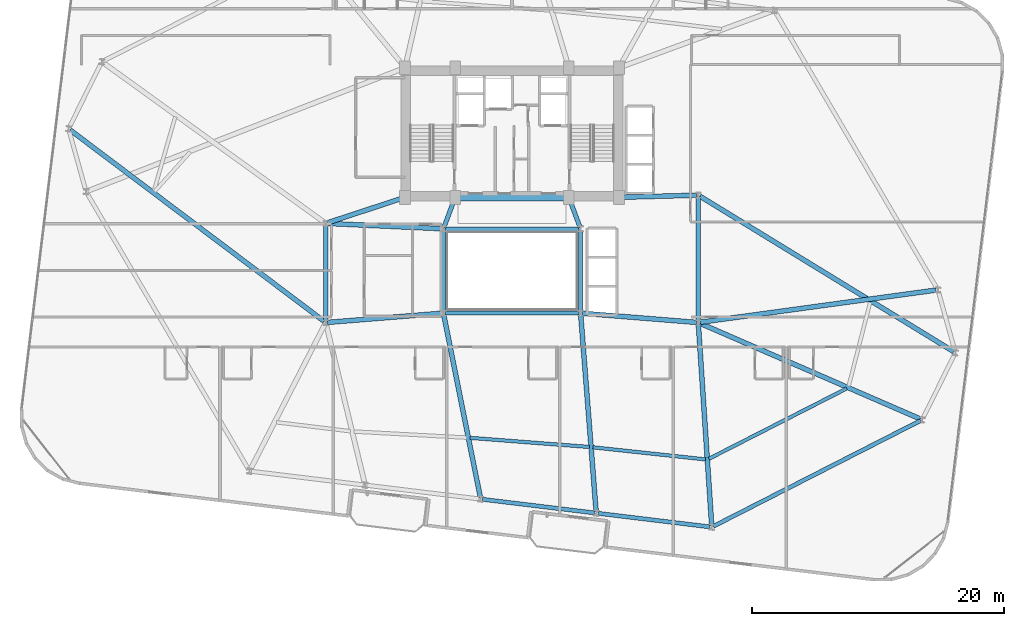
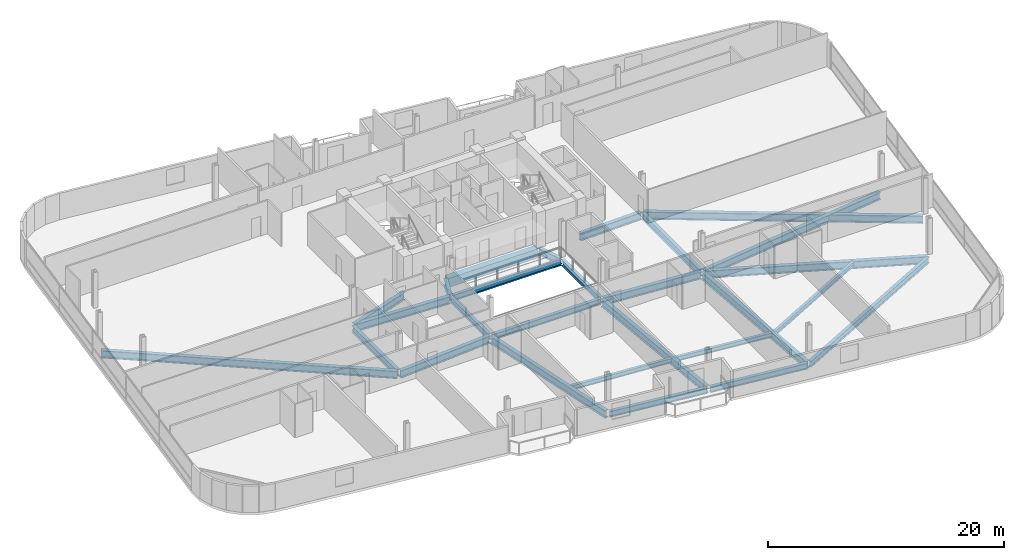
# One storey, part 7 of 26: 27 beams.
"""IFC4 building model written with IfcOpenShell, lengths in metres."""

from ifc_helpers import new_model, si_unit, direction, frame, origin, origin_2d, place, context, subcontext, project, spatial, rectangle, i_section, extrude, material, material_profile, profile_set, type_object, element, save


model = new_model("IFC4")

# Units and contexts
model_context = context("Model", 3, precision=1e-05, world=origin(), true_north=direction((0.0, 1.0)))
body_context = subcontext(model_context, "Body", "Model", "MODEL_VIEW")
ifc_project = project(units=[si_unit("LENGTHUNIT", "METRE"), si_unit("AREAUNIT", "SQUARE_METRE"), si_unit("VOLUMEUNIT", "CUBIC_METRE"), si_unit("PLANEANGLEUNIT", "RADIAN"), si_unit("MASSUNIT", "GRAM", prefix="KILO")], contexts=[model_context])

# Site, building, storey
site_placement = place(None, origin())
site = spatial("IfcSite", under=ifc_project, at=site_placement, CompositionType="ELEMENT")
building_placement = place(site_placement, origin())
building = spatial("IfcBuilding", under=site, at=building_placement, Name="Varnelok Gate Tower", CompositionType="ELEMENT")
storey_placement = place(building_placement, frame((0.0, 0.0, 151.300048828125)))
storey = spatial("IfcBuildingStorey", under=building, at=storey_placement, Name="L38", CompositionType="ELEMENT", Elevation=151.300048828125)

# Beams
ifc_material_1 = material(Name="Structural Steel ASTM A992 Grade 50", Category="steel")
ifc_material_profile_1 = material_profile(ifc_material_1, i_section(OverallWidth=0.280029296875, OverallDepth=0.462890625, WebThickness=0.0107421875, FlangeThickness=0.017333984375, FilletRadius=0.014892578125, at=origin_2d()), Name="W18X76")
ifc_profile_set_1 = profile_set([ifc_material_profile_1], Name="Structural Steel ASTM A992 Grade 50")
beam_type_1 = type_object("IfcBeamType", Name="BM-JST-W18X76", PredefinedType="JOIST", material=ifc_profile_set_1)
beam_1_placement = place(storey_placement, frame((35.873779296875, 9.636962890625, -0.4814453125), z_axis=(0.997085551333, -0.076291567836, 0.0), x_axis=(0.076291567836, 0.997085551333, 0.0)))
element("IfcBeam", 1, at=beam_1_placement, inside=storey, type_object=beam_type_1, Name="L38 Sector Floor Joist 3", PredefinedType="JOIST", context=body_context, shape_type="SweptSolid", body=[
    extrude(i_section(OverallWidth=0.280029296875, OverallDepth=0.462890625, WebThickness=0.0107421875, FlangeThickness=0.017333984375, FilletRadius=0.014892578125, at=origin_2d()), origin(), (0.0, 0.0, 1.0), 9.497802734375),
])
beam_2_placement = place(storey_placement, frame((45.622802734375, 8.88671875, -0.4814453125), z_axis=(0.994268698823, -0.106910030126, 0.0), x_axis=(0.106910030126, 0.994268698823, 0.0)))
element("IfcBeam", 2, at=beam_2_placement, inside=storey, type_object=beam_type_1, Name="L38 Sector Floor Joist 4", PredefinedType="JOIST", context=body_context, shape_type="SweptSolid", body=[
    extrude(i_section(OverallWidth=0.280029296875, OverallDepth=0.462890625, WebThickness=0.0107421875, FlangeThickness=0.017333984375, FilletRadius=0.014892578125, at=origin_2d()), origin(), (0.0, 0.0, 1.0), 9.01123046875),
])
beam_3_placement = place(storey_placement, frame((54.84619140625, 7.971923828125, -0.4814453125), z_axis=(0.890719043402, 0.45455427148, 0.0), x_axis=(-0.45455427148, 0.890719043402, 0.0)))
element("IfcBeam", 3, at=beam_3_placement, inside=storey, type_object=beam_type_1, Name="L38 Sector Floor Joist 5", PredefinedType="JOIST", context=body_context, shape_type="SweptSolid", body=[
    extrude(i_section(OverallWidth=0.280029296875, OverallDepth=0.462890625, WebThickness=0.0107421875, FlangeThickness=0.017333984375, FilletRadius=0.014892578125, at=origin_2d()), origin(), (0.0, 0.0, 1.0), 12.293701171875),
])
ifc_material_2 = material(Name="Concrete C60/75", Category="concrete")
ifc_material_profile_2 = material_profile(ifc_material_2, rectangle(XDim=0.60009765625, YDim=0.949951171875, at=origin_2d()), Name="RC950X600")
ifc_profile_set_2 = profile_set([ifc_material_profile_2], Name="Concrete C60/75")
beam_type_2 = type_object("IfcBeamType", Name="BM-LNT-RC950", PredefinedType="LINTEL", material=ifc_profile_set_2)
beam_4_placement = place(storey_placement, frame((34.800048828125, 28.75, -0.72509765625), z_axis=(1.0, 0.0, 0.0), x_axis=(0.0, 1.0, 0.0)))
element("IfcBeam", 4, at=beam_4_placement, inside=storey, type_object=beam_type_2, Name="L38 Core-Atrium Spine Beam 7", PredefinedType="LINTEL", context=body_context, shape_type="SweptSolid", body=[
    extrude(rectangle(XDim=0.60009765625, YDim=0.949951171875, at=origin_2d()), origin(), (0.0, 0.0, 1.0), 8.800048828125),
])
ifc_material_profile_3 = material_profile(ifc_material_1, i_section(OverallWidth=0.35498046875, OverallDepth=0.696044921875, WebThickness=0.015380859375, FlangeThickness=0.02490234375, FilletRadius=0.02001953125, at=origin_2d()), Name="W27X146")
ifc_profile_set_3 = profile_set([ifc_material_profile_3], Name="Structural Steel ASTM A992 Grade 50")
beam_type_3 = type_object("IfcBeamType", Name="BM-PRI-W27X146", PredefinedType="BEAM", material=ifc_profile_set_3)
for number, where, z_axis, x_axis, name in (
    (5, (33.791748046875, 26.362548828125, -0.59814453125), (0.348719329408, 0.937227202602, 0.0), (-0.937227202602, 0.348719329408, 0.0), "L38 Core-Atrium Spine Beam 12"),
    (6, (44.608154296875, 26.362548828125, -0.59814453125), (-0.348719329408, 0.937227202602, 0.0), (-0.937227202602, -0.348719329408, 0.0), "L38 Core-Atrium Spine Beam 13"),
):
    element("IfcBeam", number, at=place(storey_placement, frame(where, z_axis=z_axis, x_axis=x_axis)), inside=storey, type_object=beam_type_3, Name=name, PredefinedType="BEAM", context=body_context, shape_type="SweptSolid", body=[
        extrude(i_section(OverallWidth=0.35498046875, OverallDepth=0.696044921875, WebThickness=0.015380859375, FlangeThickness=0.02490234375, FilletRadius=0.02001953125, at=origin_2d()), origin(), (0.0, 0.0, 1.0), 2.42724609375),
    ])
beam_5_placement = place(storey_placement, frame((24.39990234375, 18.919921875, -0.59814453125), z_axis=(0.0, 1.0, 0.0), x_axis=(-1.0, 0.0, 0.0)))
element("IfcBeam", 7, at=beam_5_placement, inside=storey, type_object=beam_type_3, Name="L38 Core-Atrium Spine Beam 16", PredefinedType="BEAM", context=body_context, shape_type="SweptSolid", body=[
    extrude(i_section(OverallWidth=0.35498046875, OverallDepth=0.696044921875, WebThickness=0.015380859375, FlangeThickness=0.02490234375, FilletRadius=0.02001953125, at=origin_2d()), origin(), (0.0, 0.0, 1.0), 7.64013671875),
])
beam_6_placement = place(storey_placement, frame((54.0, 18.919921875, -0.59814453125), z_axis=(0.0, 1.0, 0.0), x_axis=(-1.0, 0.0, 0.0)))
element("IfcBeam", 8, at=beam_6_placement, inside=storey, type_object=beam_type_3, Name="L38 Core-Atrium Spine Beam 20", PredefinedType="BEAM", context=body_context, shape_type="SweptSolid", body=[
    extrude(i_section(OverallWidth=0.35498046875, OverallDepth=0.696044921875, WebThickness=0.015380859375, FlangeThickness=0.02490234375, FilletRadius=0.02001953125, at=origin_2d()), origin(), (0.0, 0.0, 1.0), 9.880126953125),
])
ifc_material_profile_4 = material_profile(ifc_material_1, i_section(OverallWidth=0.381103515625, OverallDepth=0.77294921875, WebThickness=0.0166015625, FlangeThickness=0.027099609375, FilletRadius=0.02197265625, at=origin_2d()), Name="W30X173")
ifc_profile_set_4 = profile_set([ifc_material_profile_4], Name="Structural Steel ASTM A992 Grade 50")
beam_type_4 = type_object("IfcBeamType", Name="BM-PRI-W30X173", PredefinedType="BEAM", material=ifc_profile_set_4)
beam_7_placement = place(storey_placement, frame((24.51953125, 18.8095703125, -0.636474609375), z_axis=(0.996799206292, 0.07994587128, 0.0), x_axis=(-0.07994587128, 0.996799206292, 0.0)))
element("IfcBeam", 9, at=beam_7_placement, inside=storey, type_object=beam_type_4, Name="L38 Core-Atrium Spine Beam 14", PredefinedType="BEAM", context=body_context, shape_type="SweptSolid", body=[
    extrude(i_section(OverallWidth=0.381103515625, OverallDepth=0.77294921875, WebThickness=0.0166015625, FlangeThickness=0.027099609375, FilletRadius=0.02197265625, at=origin_2d()), origin(), (0.0, 0.0, 1.0), 9.14013671875),
])
beam_8_placement = place(storey_placement, frame((24.52001953125, 26.674560546875, -0.636474609375), z_axis=(0.99894427814, -0.045938319209, 0.0), x_axis=(0.045938319209, 0.99894427814, 0.0)))
element("IfcBeam", 10, at=beam_8_placement, inside=storey, type_object=beam_type_4, Name="L38 Core-Atrium Spine Beam 15", PredefinedType="BEAM", context=body_context, shape_type="SweptSolid", body=[
    extrude(i_section(OverallWidth=0.381103515625, OverallDepth=0.77294921875, WebThickness=0.0166015625, FlangeThickness=0.027099609375, FilletRadius=0.02197265625, at=origin_2d()), origin(), (0.0, 0.0, 1.0), 9.11962890625),
])
beam_9_placement = place(storey_placement, frame((24.513916015625, 26.717529296875, -0.636474609375), z_axis=(0.950041943788, 0.312122259768, 0.0), x_axis=(-0.312122259768, 0.950041943788, 0.0)))
element("IfcBeam", 11, at=beam_9_placement, inside=storey, type_object=beam_type_4, Name="L38 Core-Atrium Spine Beam 17", PredefinedType="BEAM", context=body_context, shape_type="SweptSolid", body=[
    extrude(i_section(OverallWidth=0.381103515625, OverallDepth=0.77294921875, WebThickness=0.0166015625, FlangeThickness=0.027099609375, FilletRadius=0.02197265625, at=origin_2d()), origin(), (0.0, 0.0, 1.0), 6.391357421875),
])
beam_10_placement = place(storey_placement, frame((44.76953125, 19.540283203125, -0.636474609375), z_axis=(0.996799206292, -0.07994587128, 0.0), x_axis=(0.07994587128, 0.996799206292, 0.0)))
element("IfcBeam", 12, at=beam_10_placement, inside=storey, type_object=beam_type_4, Name="L38 Core-Atrium Spine Beam 18", PredefinedType="BEAM", context=body_context, shape_type="SweptSolid", body=[
    extrude(i_section(OverallWidth=0.381103515625, OverallDepth=0.77294921875, WebThickness=0.0166015625, FlangeThickness=0.027099609375, FilletRadius=0.02197265625, at=origin_2d()), origin(), (0.0, 0.0, 1.0), 9.14013671875),
])
beam_11_placement = place(storey_placement, frame((47.820068359375, 28.753173828125, -0.636474609375), z_axis=(0.999635880609, 0.026983443053, 0.0), x_axis=(-0.026983443053, 0.999635880609, 0.0)))
element("IfcBeam", 13, at=beam_11_placement, inside=storey, type_object=beam_type_4, Name="L38 Core-Atrium Spine Beam 19", PredefinedType="BEAM", context=body_context, shape_type="SweptSolid", body=[
    extrude(i_section(OverallWidth=0.381103515625, OverallDepth=0.77294921875, WebThickness=0.0166015625, FlangeThickness=0.027099609375, FilletRadius=0.02197265625, at=origin_2d()), origin(), (0.0, 0.0, 1.0), 6.06201171875),
])
beam_12_placement = place(storey_placement, frame((33.779541015625, 19.40283203125, -0.636474609375), z_axis=(0.1964593524, -0.980511969766, 0.0), x_axis=(0.980511969766, 0.1964593524, 0.0)))
element("IfcBeam", 14, at=beam_12_placement, inside=storey, type_object=beam_type_4, Name="L38 Radial Floor Girder 3", PredefinedType="BEAM", context=body_context, shape_type="SweptSolid", body=[
    extrude(i_section(OverallWidth=0.381103515625, OverallDepth=0.77294921875, WebThickness=0.0166015625, FlangeThickness=0.027099609375, FilletRadius=0.02197265625, at=origin_2d()), origin(), (0.0, 0.0, 1.0), 14.773193359375),
])
beam_13_placement = place(storey_placement, frame((44.66162109375, 19.400390625, -0.636474609375), z_axis=(0.078042805068, -0.996950009066, 0.0), x_axis=(0.996950009066, 0.078042805068, 0.0)))
element("IfcBeam", 15, at=beam_13_placement, inside=storey, type_object=beam_type_4, Name="L38 Radial Floor Girder 4", PredefinedType="BEAM", context=body_context, shape_type="SweptSolid", body=[
    extrude(i_section(OverallWidth=0.381103515625, OverallDepth=0.77294921875, WebThickness=0.0166015625, FlangeThickness=0.027099609375, FilletRadius=0.02197265625, at=origin_2d()), origin(), (0.0, 0.0, 1.0), 15.641357421875),
])
beam_14_placement = place(storey_placement, frame((54.010009765625, 18.650390625, -0.636474609375), z_axis=(0.066089376194, -0.997813707239, 0.0), x_axis=(0.997813707239, 0.066089376194, 0.0)))
element("IfcBeam", 16, at=beam_14_placement, inside=storey, type_object=beam_type_4, Name="L38 Radial Floor Girder 5", PredefinedType="BEAM", context=body_context, shape_type="SweptSolid", body=[
    extrude(i_section(OverallWidth=0.381103515625, OverallDepth=0.77294921875, WebThickness=0.0166015625, FlangeThickness=0.027099609375, FilletRadius=0.02197265625, at=origin_2d()), origin(), (0.0, 0.0, 1.0), 15.99169921875),
])
beam_15_placement = place(storey_placement, frame((54.1376953125, 18.740234375, -0.636474609375), z_axis=(0.917259371715, -0.398290402848, 0.0), x_axis=(0.398290402848, 0.917259371715, 0.0)))
element("IfcBeam", 17, at=beam_15_placement, inside=storey, type_object=beam_type_4, Name="L38 Radial Floor Girder 6", PredefinedType="BEAM", context=body_context, shape_type="SweptSolid", body=[
    extrude(i_section(OverallWidth=0.381103515625, OverallDepth=0.77294921875, WebThickness=0.0166015625, FlangeThickness=0.027099609375, FilletRadius=0.02197265625, at=origin_2d()), origin(), (0.0, 0.0, 1.0), 19.09765625),
])
beam_16_placement = place(storey_placement, frame((54.1279296875, 28.841796875, -0.636474609375), z_axis=(0.852781066678, -0.522268563399, 0.0), x_axis=(0.522268563399, 0.852781066678, 0.0)))
element("IfcBeam", 18, at=beam_16_placement, inside=storey, type_object=beam_type_4, Name="L38 Radial Floor Girder 7", PredefinedType="BEAM", context=body_context, shape_type="SweptSolid", body=[
    extrude(i_section(OverallWidth=0.381103515625, OverallDepth=0.77294921875, WebThickness=0.0166015625, FlangeThickness=0.027099609375, FilletRadius=0.02197265625, at=origin_2d()), origin(), (0.0, 0.0, 1.0), 23.663330078125),
])
beam_17_placement = place(storey_placement, frame((54.148681640625, 18.8203125, -0.636474609375), z_axis=(0.990818465143, 0.135198998265, 0.0), x_axis=(-0.135198998265, 0.990818465143, 0.0)))
element("IfcBeam", 19, at=beam_17_placement, inside=storey, type_object=beam_type_4, Name="L38 Radial Floor Girder 8", PredefinedType="BEAM", context=body_context, shape_type="SweptSolid", body=[
    extrude(i_section(OverallWidth=0.381103515625, OverallDepth=0.77294921875, WebThickness=0.0166015625, FlangeThickness=0.027099609375, FilletRadius=0.02197265625, at=origin_2d()), origin(), (0.0, 0.0, 1.0), 18.921142578125),
])
beam_18_placement = place(storey_placement, frame((24.2802734375, 18.890380859375, -0.636474609375), z_axis=(-0.798720202065, 0.601702616591, 0.0), x_axis=(-0.601702616591, -0.798720202065, 0.0)))
element("IfcBeam", 20, at=beam_18_placement, inside=storey, type_object=beam_type_4, Name="L38 Radial Floor Girder 15", PredefinedType="BEAM", context=body_context, shape_type="SweptSolid", body=[
    extrude(i_section(OverallWidth=0.381103515625, OverallDepth=0.77294921875, WebThickness=0.0166015625, FlangeThickness=0.027099609375, FilletRadius=0.02197265625, at=origin_2d()), origin(), (0.0, 0.0, 1.0), 25.285400390625),
])
ifc_material_profile_5 = material_profile(ifc_material_1, i_section(OverallWidth=0.323974609375, OverallDepth=0.611083984375, WebThickness=0.0126953125, FlangeThickness=0.01904296875, FilletRadius=0.01806640625, at=origin_2d()), Name="W24X104")
ifc_profile_set_5 = profile_set([ifc_material_profile_5], Name="Structural Steel ASTM A992 Grade 50")
beam_type_5 = type_object("IfcBeamType", Name="BM-SPN-W24X104", PredefinedType="SPANDREL", material=ifc_profile_set_5)
for number, where, z_axis, x_axis, name in (
    (21, (33.8701171875, 19.550048828125, -0.5556640625), (1.0, 0.0, 0.0), (0.0, 1.0, 0.0), "L38 Core-Atrium Spine Beam 8"),
    (22, (33.8701171875, 26.25, -0.5556640625), (1.0, 0.0, 0.0), (0.0, 1.0, 0.0), "L38 Core-Atrium Spine Beam 9"),
):
    element("IfcBeam", number, at=place(storey_placement, frame(where, z_axis=z_axis, x_axis=x_axis)), inside=storey, type_object=beam_type_5, Name=name, PredefinedType="SPANDREL", context=body_context, shape_type="SweptSolid", body=[
        extrude(i_section(OverallWidth=0.323974609375, OverallDepth=0.611083984375, WebThickness=0.0126953125, FlangeThickness=0.01904296875, FilletRadius=0.01806640625, at=origin_2d()), origin(), (0.0, 0.0, 1.0), 10.659912109375),
    ])
for number, where, z_axis, x_axis, name in (
    (23, (33.75, 19.669921875, -0.5556640625), (0.0, 1.0, 0.0), (-1.0, 0.0, 0.0), "L38 Core-Atrium Spine Beam 10"),
    (24, (44.64990234375, 19.669921875, -0.5556640625), (0.0, 1.0, 0.0), (-1.0, 0.0, 0.0), "L38 Core-Atrium Spine Beam 11"),
):
    element("IfcBeam", number, at=place(storey_placement, frame(where, z_axis=z_axis, x_axis=x_axis)), inside=storey, type_object=beam_type_5, Name=name, PredefinedType="SPANDREL", context=body_context, shape_type="SweptSolid", body=[
        extrude(i_section(OverallWidth=0.323974609375, OverallDepth=0.611083984375, WebThickness=0.0126953125, FlangeThickness=0.01904296875, FilletRadius=0.01806640625, at=origin_2d()), origin(), (0.0, 0.0, 1.0), 6.4599609375),
    ])
for number, where, z_axis, x_axis, name in (
    (25, (36.860107421875, 4.752197265625, -0.5556640625), (0.992734670707, -0.120324035735, 0.0), (0.120324035735, 0.992734670707, 0.0), "L38 Perimeter Spandrel Beam 3"),
    (26, (46.04296875, 3.638916015625, -0.5556640625), (0.992734670707, -0.120324035735, 0.0), (0.120324035735, 0.992734670707, 0.0), "L38 Perimeter Spandrel Beam 4"),
):
    element("IfcBeam", number, at=place(storey_placement, frame(where, z_axis=z_axis, x_axis=x_axis)), inside=storey, type_object=beam_type_5, Name=name, PredefinedType="SPANDREL", context=body_context, shape_type="SweptSolid", body=[
        extrude(i_section(OverallWidth=0.323974609375, OverallDepth=0.611083984375, WebThickness=0.0126953125, FlangeThickness=0.01904296875, FilletRadius=0.01806640625, at=origin_2d()), origin(), (0.0, 0.0, 1.0), 8.949951171875),
    ])
beam_19_placement = place(storey_placement, frame((55.21044921875, 2.612060546875, -0.5556640625), z_axis=(0.890721671543, 0.454549121486, 0.0), x_axis=(-0.454549121486, 0.890721671543, 0.0)))
element("IfcBeam", 27, at=beam_19_placement, inside=storey, type_object=beam_type_5, Name="L38 Perimeter Spandrel Beam 5", PredefinedType="SPANDREL", context=body_context, shape_type="SweptSolid", body=[
    extrude(i_section(OverallWidth=0.323974609375, OverallDepth=0.611083984375, WebThickness=0.0126953125, FlangeThickness=0.01904296875, FilletRadius=0.01806640625, at=origin_2d()), origin(), (0.0, 0.0, 1.0), 18.466796875),
])

save(model, "model.ifc")
